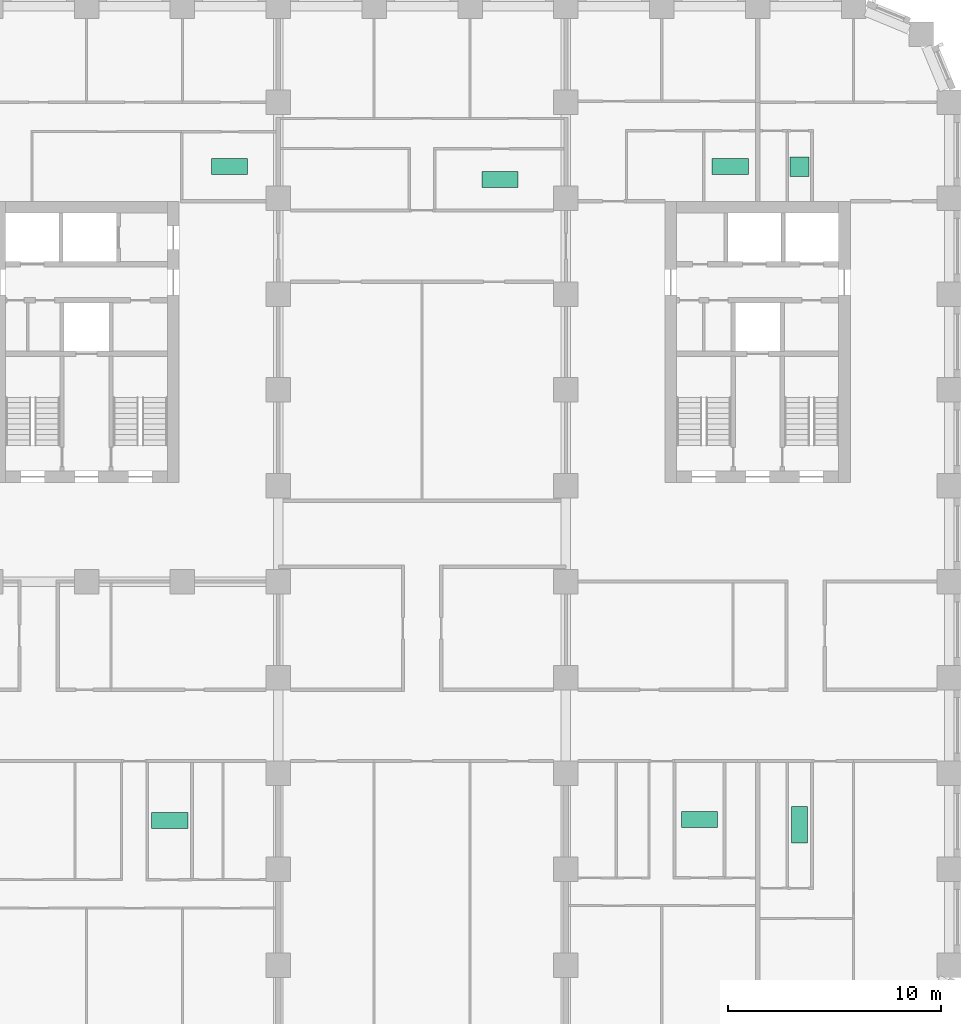
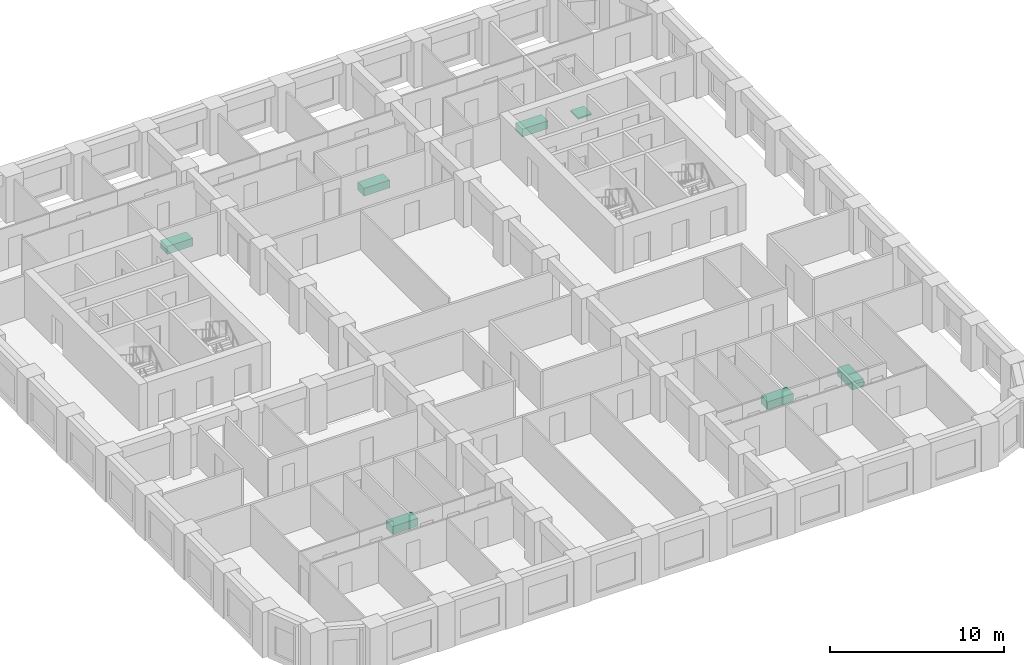
# One storey, part 13 of 13: 7 sanitary terminals.
"""IFC4 building model written with IfcOpenShell, lengths in metres."""

from ifc_helpers import new_model, si_unit, direction, frame, origin, origin_2d, place, context, subcontext, project, spatial, rectangle, extrude, material, type_object, element, save


model = new_model("IFC4")

# Units and contexts
model_context = context("Model", 3, precision=1e-05, world=origin(), true_north=direction((0.0, 1.0)))
body_context = subcontext(model_context, "Body", "Model", "MODEL_VIEW")
ifc_project = project(units=[si_unit("LENGTHUNIT", "METRE"), si_unit("AREAUNIT", "SQUARE_METRE"), si_unit("VOLUMEUNIT", "CUBIC_METRE"), si_unit("PLANEANGLEUNIT", "RADIAN"), si_unit("MASSUNIT", "GRAM", prefix="KILO")], contexts=[model_context])

# Site, building, storey
site_placement = place(None, origin())
site = spatial("IfcSite", under=ifc_project, at=site_placement, CompositionType="ELEMENT")
building_placement = place(site_placement, origin())
building = spatial("IfcBuilding", under=site, at=building_placement, Name="Girih Gate Residences", CompositionType="ELEMENT")
storey_placement = place(building_placement, frame((0.0, 0.0, 86.39990234375)))
storey = spatial("IfcBuildingStorey", under=building, at=storey_placement, Name="L23", CompositionType="ELEMENT", Elevation=86.39990234375)

# Sanitary terminals
ifc_material = material(Name="Acrylic")
sanitary_terminal_type_1 = type_object("IfcSanitaryTerminalType", Name="Bath 1700", PredefinedType="BATH", material=ifc_material)
for number, where, z_axis, x_axis, name in (
    (1, (12.902099609375, 11.2890625, 0.0), (0.0, 0.0, 1.0), (1.0, 0.0, 0.0), "Bath 1700 L23"),
    (2, (15.712890625, 41.990966796875, 0.0), (0.0, 0.0, 1.0), (1.0, 0.0, 0.0), "Bath 1700 L23"),
):
    element("IfcSanitaryTerminal", number, at=place(storey_placement, frame(where, z_axis=z_axis, x_axis=x_axis)), inside=storey, type_object=sanitary_terminal_type_1, Name=name, PredefinedType="BATH", context=body_context, shape_type="SweptSolid", body=[
        extrude(rectangle(XDim=1.699951171875, YDim=0.75, at=origin_2d()), origin(), (0.0, 0.0, 1.0), 0.550048828125),
    ])
sanitary_terminal_1_placement = place(storey_placement, frame((42.470947265625, 11.089111328125, 0.0), z_axis=(0.0, 0.0, 1.0), x_axis=(1.0, 0.0, 0.0)))
element("IfcSanitaryTerminal", 3, at=sanitary_terminal_1_placement, inside=storey, type_object=sanitary_terminal_type_1, Name="Bath 1700 L23", PredefinedType="BATH", context=body_context, shape_type="SweptSolid", body=[
    extrude(rectangle(XDim=0.75, YDim=1.699951171875, at=origin_2d()), origin(), (0.0, 0.0, 1.0), 0.550048828125),
])
for number, where, z_axis, x_axis, name in (
    (4, (37.77294921875, 11.3291015625, 0.0), (0.0, 0.0, 1.0), (1.0, 0.0, 0.0), "Bath 1700 L23"),
    (5, (39.218017578125, 41.97607421875, 0.0), (0.0, 0.0, 1.0), (1.0, 0.0, 0.0), "Bath 1700 L23"),
    (6, (28.406005859375, 41.381103515625, 0.0), (0.0, 0.0, 1.0), (1.0, 0.0, 0.0), "Bath 1700 L23"),
):
    element("IfcSanitaryTerminal", number, at=place(storey_placement, frame(where, z_axis=z_axis, x_axis=x_axis)), inside=storey, type_object=sanitary_terminal_type_1, Name=name, PredefinedType="BATH", context=body_context, shape_type="SweptSolid", body=[
        extrude(rectangle(XDim=1.699951171875, YDim=0.75, at=origin_2d()), origin(), (0.0, 0.0, 1.0), 0.550048828125),
    ])
sanitary_terminal_type_2 = type_object("IfcSanitaryTerminalType", Name="Shower tray 900", PredefinedType="SHOWER", material=ifc_material)
sanitary_terminal_2_placement = place(storey_placement, frame((42.470947265625, 41.97412109375, 0.0), z_axis=(0.0, 0.0, 1.0), x_axis=(1.0, 0.0, 0.0)))
element("IfcSanitaryTerminal", 7, at=sanitary_terminal_2_placement, inside=storey, type_object=sanitary_terminal_type_2, Name="Shower tray 900 L23", PredefinedType="SHOWER", context=body_context, shape_type="SweptSolid", body=[
    extrude(rectangle(XDim=0.89990234375, YDim=0.89990234375, at=origin_2d()), origin(), (0.0, 0.0, 1.0), 0.10009765625),
])

save(model, "model.ifc")
